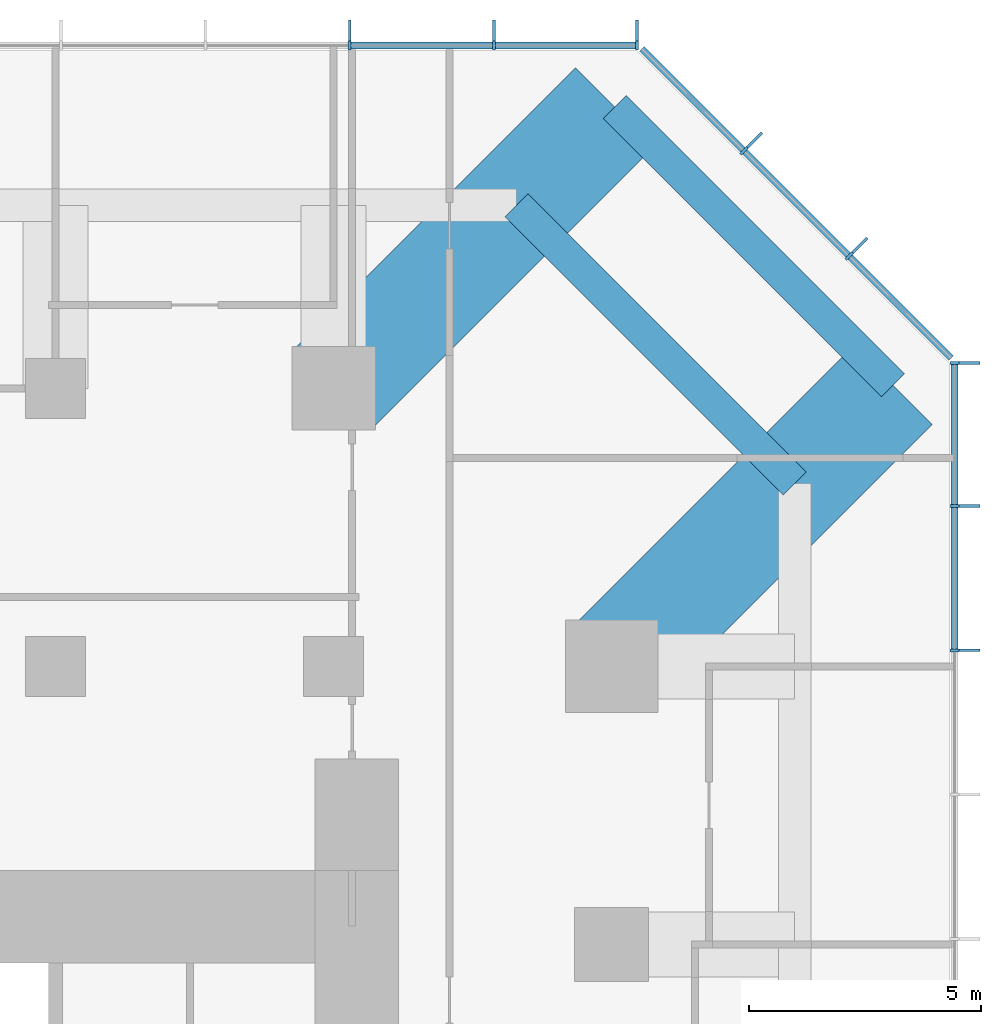
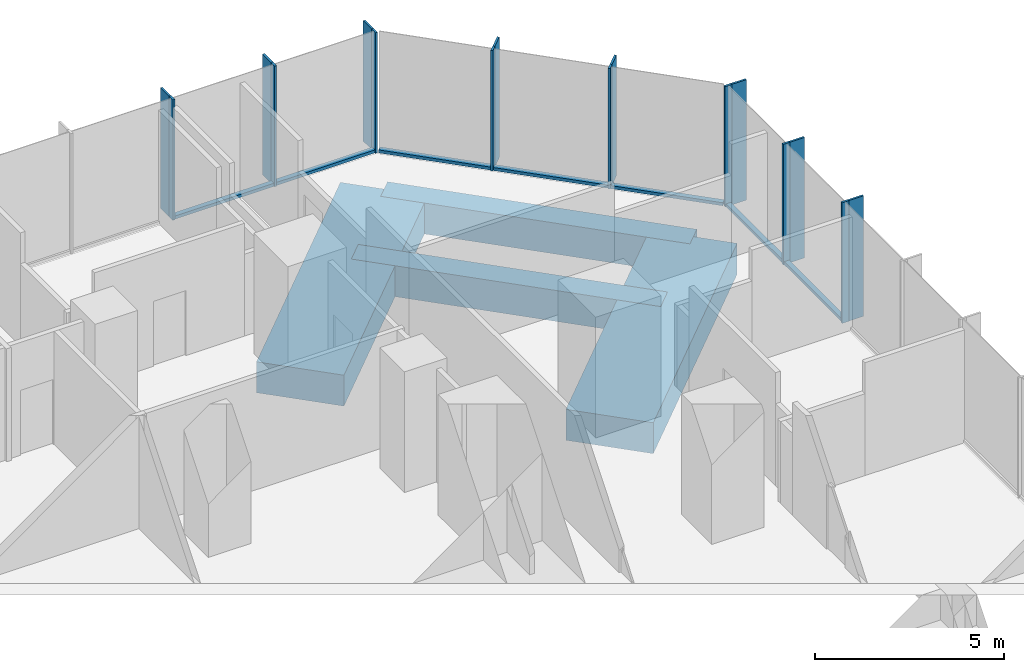
# One storey, part 6 of 11: 23 members, 4 beams, 3 elements without a shape of their own.
"""IFC4 building model written with IfcOpenShell, lengths in metres."""

from ifc_helpers import new_model, si_unit, direction, frame, origin, origin_2d, place, context, subcontext, project, spatial, rectangle, extrude, material, layer, layer_set, material_profile, profile_set, type_object, element, aggregate, save


model = new_model("IFC4")

# Units and contexts
model_context = context("Model", 3, precision=1e-05, world=origin(), true_north=direction((0.0, 1.0)))
body_context = subcontext(model_context, "Body", "Model", "MODEL_VIEW")
ifc_project = project(units=[si_unit("LENGTHUNIT", "METRE"), si_unit("AREAUNIT", "SQUARE_METRE"), si_unit("VOLUMEUNIT", "CUBIC_METRE"), si_unit("PLANEANGLEUNIT", "RADIAN"), si_unit("MASSUNIT", "GRAM", prefix="KILO")], contexts=[model_context])

# Site, building, storey
site_placement = place(None, origin())
site = spatial("IfcSite", under=ifc_project, at=site_placement, CompositionType="ELEMENT")
building_placement = place(site_placement, origin())
building = spatial("IfcBuilding", under=site, at=building_placement, Name="Highveld Stack Headquarters", CompositionType="ELEMENT")
storey_placement = place(building_placement, frame((0.0, 0.0, 181.10009765625)))
storey = spatial("IfcBuildingStorey", under=building, at=storey_placement, Name="L44", CompositionType="ELEMENT", Elevation=181.10009765625)

# Beams
ifc_material_1 = material(Name="Concrete C60/75", Category="concrete")
ifc_material_profile_1 = material_profile(ifc_material_1, rectangle(XDim=2.39990234375, YDim=1.0, at=origin_2d()), Name="RC 2400x1000")
ifc_profile_set_1 = profile_set([ifc_material_profile_1], Name="Concrete C60/75")
beam_type_1 = type_object("IfcBeamType", Name="CANTILEVER RIB RC 2400x1000", PredefinedType="USERDEFINED", material=ifc_profile_set_1)
for number, where, z_axis, x_axis, name in (
    (1, (18.0, 24.0, -0.75), (0.707106781187, 0.707106781187, 0.0), (-0.707106781187, 0.707106781187, 0.0), "Cantilever rib 9/J L44"),
    (2, (24.0, 18.0, -0.75), (0.707106781187, 0.707106781187, 0.0), (-0.707106781187, 0.707106781187, 0.0), "Cantilever rib 10/H L44"),
):
    element("IfcBeam", number, at=place(storey_placement, frame(where, z_axis=z_axis, x_axis=x_axis)), inside=storey, type_object=beam_type_1, Name=name, ObjectType="CANTILEVER RIB", PredefinedType="USERDEFINED", context=body_context, shape_type="SweptSolid", body=[
        extrude(rectangle(XDim=2.39990234375, YDim=1.0, at=origin_2d()), origin(), (0.0, 0.0, 1.0), 8.585693359375),
    ])

# Curtain wall, members
ifc_material_2 = material(Name="Aluminium bronze anodised", Category="aluminium")
ifc_layer_1 = layer(ifc_material_2, 0.199951171875)
ifc_layer_set_1 = layer_set([ifc_layer_1], Name="Aluminium bronze anodised")
curtain_wall_type_1 = type_object("IfcCurtainWallType", Name="CW1 TOWER UNITISED CURTAIN WALL", PredefinedType="NOTDEFINED", material=ifc_layer_set_1)
curtain_wall_1_placement = place(storey_placement, origin())
curtain_wall_1 = element("IfcCurtainWall", 3, at=curtain_wall_1_placement, inside=storey, type_object=curtain_wall_type_1, Name="Curtain wall CW1 L44 E", PredefinedType="NOTDEFINED")
ifc_material_3 = material(Name="Aluminium bronze anodised", Category="aluminium")
ifc_material_profile_2 = material_profile(ifc_material_3, rectangle(XDim=0.449951171875, YDim=0.06005859375, at=origin_2d()), Name="FIN 450x60")
ifc_profile_set_2 = profile_set([ifc_material_profile_2], Name="Aluminium bronze anodised")
member_type_1 = type_object("IfcMemberType", Name="CW1 BRONZE FIN 450x60", PredefinedType="USERDEFINED", material=ifc_profile_set_2)
member_1_placement = place(storey_placement, frame((31.72509765625, 18.347900390625, 0.0), z_axis=(0.0, 0.0, 1.0), x_axis=(-1.0, 0.0, 0.0)))
member_1 = element("IfcMember", 4, at=member_1_placement, type_object=member_type_1, Name="CW1 fin L44 9", ObjectType="FIN", PredefinedType="USERDEFINED", context=body_context, shape_type="SweptSolid", body=[
    extrude(rectangle(XDim=0.449951171875, YDim=0.06005859375, at=origin_2d()), origin(), (0.0, 0.0, 1.0), 3.89990234375),
])
member_2_placement = place(storey_placement, frame((31.72509765625, 21.4638671875, 0.0), z_axis=(0.0, 0.0, 1.0), x_axis=(-1.0, 0.0, 0.0)))
member_2 = element("IfcMember", 5, at=member_2_placement, type_object=member_type_1, Name="CW1 fin L44 10", ObjectType="FIN", PredefinedType="USERDEFINED", context=body_context, shape_type="SweptSolid", body=[
    extrude(rectangle(XDim=0.449951171875, YDim=0.06005859375, at=origin_2d()), origin(), (0.0, 0.0, 1.0), 3.89990234375),
])
member_3_placement = place(storey_placement, frame((31.72509765625, 24.54736328125, 0.0), z_axis=(0.0, 0.0, 1.0), x_axis=(-1.0, 0.0, 0.0)))
member_3 = element("IfcMember", 6, at=member_3_placement, type_object=member_type_1, Name="CW1 fin L44 11", ObjectType="FIN", PredefinedType="USERDEFINED", context=body_context, shape_type="SweptSolid", body=[
    extrude(rectangle(XDim=0.449951171875, YDim=0.06005859375, at=origin_2d()), origin(), (0.0, 0.0, 1.0), 3.89990234375),
])

curtain_wall_2_placement = place(storey_placement, origin())
curtain_wall_2 = element("IfcCurtainWall", 7, at=curtain_wall_2_placement, inside=storey, type_object=curtain_wall_type_1, Name="Curtain wall CW1 L44 N", PredefinedType="NOTDEFINED")
member_4_placement = place(storey_placement, frame((24.54736328125, 31.72509765625, 0.0), z_axis=(0.0, 0.0, 1.0), x_axis=(0.0, -1.0, 0.0)))
member_4 = element("IfcMember", 8, at=member_4_placement, type_object=member_type_1, Name="CW1 fin L44 1", ObjectType="FIN", PredefinedType="USERDEFINED", context=body_context, shape_type="SweptSolid", body=[
    extrude(rectangle(XDim=0.449951171875, YDim=0.06005859375, at=origin_2d()), origin(), (0.0, 0.0, 1.0), 3.89990234375),
])
member_5_placement = place(storey_placement, frame((21.4638671875, 31.72509765625, 0.0), z_axis=(0.0, 0.0, 1.0), x_axis=(0.0, -1.0, 0.0)))
member_5 = element("IfcMember", 9, at=member_5_placement, type_object=member_type_1, Name="CW1 fin L44 2", ObjectType="FIN", PredefinedType="USERDEFINED", context=body_context, shape_type="SweptSolid", body=[
    extrude(rectangle(XDim=0.449951171875, YDim=0.06005859375, at=origin_2d()), origin(), (0.0, 0.0, 1.0), 3.89990234375),
])
member_6_placement = place(storey_placement, frame((18.347900390625, 31.72509765625, 0.0), z_axis=(0.0, 0.0, 1.0), x_axis=(0.0, -1.0, 0.0)))
member_6 = element("IfcMember", 10, at=member_6_placement, type_object=member_type_1, Name="CW1 fin L44 3", ObjectType="FIN", PredefinedType="USERDEFINED", context=body_context, shape_type="SweptSolid", body=[
    extrude(rectangle(XDim=0.449951171875, YDim=0.06005859375, at=origin_2d()), origin(), (0.0, 0.0, 1.0), 3.89990234375),
])

# Member
ifc_material_4 = material(Name="Aluminium bronze anodised", Category="aluminium")
ifc_material_profile_3 = material_profile(ifc_material_4, rectangle(XDim=0.199951171875, YDim=0.06494140625, at=origin_2d()), Name="CW1 MULLION 65x200")
ifc_profile_set_3 = profile_set([ifc_material_profile_3], Name="Aluminium bronze anodised")
member_type_2 = type_object("IfcMemberType", Name="CW1 MULLION 65x200", PredefinedType="MULLION", material=ifc_profile_set_3)
member_7_placement = place(storey_placement, frame((31.39990234375, 18.347900390625, 0.0), z_axis=(0.0, 0.0, 1.0), x_axis=(-1.0, 0.0, 0.0)))
member_7 = element("IfcMember", 11, at=member_7_placement, type_object=member_type_2, Name="CW1 mullion L44 9", PredefinedType="MULLION", context=body_context, shape_type="SweptSolid", body=[
    extrude(rectangle(XDim=0.199951171875, YDim=0.06494140625, at=origin_2d()), origin(), (0.0, 0.0, 1.0), 3.89990234375),
])

member_8_placement = place(storey_placement, frame((31.39990234375, 21.4638671875, 0.0), z_axis=(0.0, 0.0, 1.0), x_axis=(-1.0, 0.0, 0.0)))
member_8 = element("IfcMember", 12, at=member_8_placement, type_object=member_type_2, Name="CW1 mullion L44 10", PredefinedType="MULLION", context=body_context, shape_type="SweptSolid", body=[
    extrude(rectangle(XDim=0.199951171875, YDim=0.06494140625, at=origin_2d()), origin(), (0.0, 0.0, 1.0), 3.89990234375),
])

member_9_placement = place(storey_placement, frame((31.39990234375, 24.54736328125, 0.0), z_axis=(0.0, 0.0, 1.0), x_axis=(-1.0, 0.0, 0.0)))
member_9 = element("IfcMember", 13, at=member_9_placement, type_object=member_type_2, Name="CW1 mullion L44 11", PredefinedType="MULLION", context=body_context, shape_type="SweptSolid", body=[
    extrude(rectangle(XDim=0.199951171875, YDim=0.06494140625, at=origin_2d()), origin(), (0.0, 0.0, 1.0), 3.89990234375),
])

member_10_placement = place(storey_placement, frame((24.54736328125, 31.39990234375, 0.0), z_axis=(0.0, 0.0, 1.0), x_axis=(0.0, -1.0, 0.0)))
member_10 = element("IfcMember", 14, at=member_10_placement, type_object=member_type_2, Name="CW1 mullion L44 1", PredefinedType="MULLION", context=body_context, shape_type="SweptSolid", body=[
    extrude(rectangle(XDim=0.199951171875, YDim=0.06494140625, at=origin_2d()), origin(), (0.0, 0.0, 1.0), 3.89990234375),
])

member_11_placement = place(storey_placement, frame((21.4638671875, 31.39990234375, 0.0), z_axis=(0.0, 0.0, 1.0), x_axis=(0.0, -1.0, 0.0)))
member_11 = element("IfcMember", 15, at=member_11_placement, type_object=member_type_2, Name="CW1 mullion L44 2", PredefinedType="MULLION", context=body_context, shape_type="SweptSolid", body=[
    extrude(rectangle(XDim=0.199951171875, YDim=0.06494140625, at=origin_2d()), origin(), (0.0, 0.0, 1.0), 3.89990234375),
])

member_12_placement = place(storey_placement, frame((18.347900390625, 31.39990234375, 0.0), z_axis=(0.0, 0.0, 1.0), x_axis=(0.0, -1.0, 0.0)))
member_12 = element("IfcMember", 16, at=member_12_placement, type_object=member_type_2, Name="CW1 mullion L44 3", PredefinedType="MULLION", context=body_context, shape_type="SweptSolid", body=[
    extrude(rectangle(XDim=0.199951171875, YDim=0.06494140625, at=origin_2d()), origin(), (0.0, 0.0, 1.0), 3.89990234375),
])

ifc_material_5 = material(Name="Aluminium bronze anodised", Category="aluminium")
ifc_material_profile_4 = material_profile(ifc_material_5, rectangle(XDim=0.14990234375, YDim=0.10009765625, at=origin_2d()), Name="CW1 TRANSOM 150x100")
ifc_profile_set_4 = profile_set([ifc_material_profile_4], Name="Aluminium bronze anodised")
member_type_3 = type_object("IfcMemberType", Name="CW1 STACK TRANSOM 150x100", PredefinedType="USERDEFINED", material=ifc_profile_set_4)
member_13_placement = place(storey_placement, frame((31.39990234375, 18.38037109375, 0.0498046875), z_axis=(0.0, 1.0, 0.0), x_axis=(-1.0, 0.0, 0.0)))
member_13 = element("IfcMember", 17, at=member_13_placement, type_object=member_type_3, Name="CW1 transom L44 9.1", ObjectType="TRANSOM", PredefinedType="USERDEFINED", context=body_context, shape_type="SweptSolid", body=[
    extrude(rectangle(XDim=0.14990234375, YDim=0.10009765625, at=origin_2d()), origin(), (0.0, 0.0, 1.0), 3.051025390625),
])

member_14_placement = place(storey_placement, frame((31.39990234375, 21.496337890625, 0.0498046875), z_axis=(0.0, 1.0, 0.0), x_axis=(-1.0, 0.0, 0.0)))
member_14 = element("IfcMember", 18, at=member_14_placement, type_object=member_type_3, Name="CW1 transom L44 10.1", ObjectType="TRANSOM", PredefinedType="USERDEFINED", context=body_context, shape_type="SweptSolid", body=[
    extrude(rectangle(XDim=0.14990234375, YDim=0.10009765625, at=origin_2d()), origin(), (0.0, 0.0, 1.0), 3.0185546875),
])

aggregate(curtain_wall_1, [member_7, member_1, member_8, member_2, member_9, member_3, member_13, member_14])

member_15_placement = place(storey_placement, frame((24.514892578125, 31.39990234375, 0.0498046875), z_axis=(-1.0, 0.0, 0.0), x_axis=(0.0, -1.0, 0.0)))
member_15 = element("IfcMember", 19, at=member_15_placement, type_object=member_type_3, Name="CW1 transom L44 1.1", ObjectType="TRANSOM", PredefinedType="USERDEFINED", context=body_context, shape_type="SweptSolid", body=[
    extrude(rectangle(XDim=0.14990234375, YDim=0.10009765625, at=origin_2d()), origin(), (0.0, 0.0, 1.0), 3.0185546875),
])

member_16_placement = place(storey_placement, frame((21.431396484375, 31.39990234375, 0.0498046875), z_axis=(-1.0, 0.0, 0.0), x_axis=(0.0, -1.0, 0.0)))
member_16 = element("IfcMember", 20, at=member_16_placement, type_object=member_type_3, Name="CW1 transom L44 2.1", ObjectType="TRANSOM", PredefinedType="USERDEFINED", context=body_context, shape_type="SweptSolid", body=[
    extrude(rectangle(XDim=0.14990234375, YDim=0.10009765625, at=origin_2d()), origin(), (0.0, 0.0, 1.0), 3.051025390625),
])

aggregate(curtain_wall_2, [member_10, member_4, member_11, member_5, member_12, member_6, member_15, member_16])

# Curtain wall, members
ifc_material_6 = material(Name="Aluminium bronze anodised", Category="aluminium")
ifc_layer_2 = layer(ifc_material_6, 0.199951171875)
ifc_layer_set_2 = layer_set([ifc_layer_2], Name="Aluminium bronze anodised")
curtain_wall_type_2 = type_object("IfcCurtainWallType", Name="CW2 TOWER CHAMFER UNITISED CURTAIN WALL", PredefinedType="NOTDEFINED", material=ifc_layer_set_2)
curtain_wall_3_placement = place(storey_placement, origin())
curtain_wall_3 = element("IfcCurtainWall", 21, at=curtain_wall_3_placement, inside=storey, type_object=curtain_wall_type_2, Name="Curtain wall CW2 L44 NE", PredefinedType="NOTDEFINED")
ifc_material_7 = material(Name="Aluminium bronze anodised", Category="aluminium")
ifc_material_profile_5 = material_profile(ifc_material_7, rectangle(XDim=0.449951171875, YDim=0.06005859375, at=origin_2d()), Name="FIN 450x60")
ifc_profile_set_5 = profile_set([ifc_material_profile_5], Name="Aluminium bronze anodised")
member_type_4 = type_object("IfcMemberType", Name="CW2 BRONZE FIN 450x60", PredefinedType="USERDEFINED", material=ifc_profile_set_5)
member_17_placement = place(storey_placement, frame((29.3564453125, 27.0830078125, 0.0), z_axis=(0.0, 0.0, 1.0), x_axis=(-0.707106781187, -0.707106781187, 0.0)))
member_17 = element("IfcMember", 22, at=member_17_placement, type_object=member_type_4, Name="CW2 fin L44 1", ObjectType="FIN", PredefinedType="USERDEFINED", context=body_context, shape_type="SweptSolid", body=[
    extrude(rectangle(XDim=0.449951171875, YDim=0.06005859375, at=origin_2d()), origin(), (0.0, 0.0, 1.0), 3.89990234375),
])
member_18_placement = place(storey_placement, frame((27.0830078125, 29.3564453125, 0.0), z_axis=(0.0, 0.0, 1.0), x_axis=(-0.707106781187, -0.707106781187, 0.0)))
member_18 = element("IfcMember", 23, at=member_18_placement, type_object=member_type_4, Name="CW2 fin L44 2", ObjectType="FIN", PredefinedType="USERDEFINED", context=body_context, shape_type="SweptSolid", body=[
    extrude(rectangle(XDim=0.449951171875, YDim=0.06005859375, at=origin_2d()), origin(), (0.0, 0.0, 1.0), 3.89990234375),
])
ifc_material_8 = material(Name="Aluminium bronze anodised", Category="aluminium")
ifc_material_profile_6 = material_profile(ifc_material_8, rectangle(XDim=0.199951171875, YDim=0.06494140625, at=origin_2d()), Name="CW2 MULLION 65x200")
ifc_profile_set_6 = profile_set([ifc_material_profile_6], Name="Aluminium bronze anodised")
member_type_5 = type_object("IfcMemberType", Name="CW2 MULLION 65x200", PredefinedType="MULLION", material=ifc_profile_set_6)
member_19_placement = place(storey_placement, frame((29.126708984375, 26.853271484375, 0.0), z_axis=(0.0, 0.0, 1.0), x_axis=(-0.707106781187, -0.707106781187, 0.0)))
member_19 = element("IfcMember", 24, at=member_19_placement, type_object=member_type_5, Name="CW2 mullion L44 1", PredefinedType="MULLION", context=body_context, shape_type="SweptSolid", body=[
    extrude(rectangle(XDim=0.199951171875, YDim=0.06494140625, at=origin_2d()), origin(), (0.0, 0.0, 1.0), 3.89990234375),
])
member_20_placement = place(storey_placement, frame((26.853271484375, 29.126708984375, 0.0), z_axis=(0.0, 0.0, 1.0), x_axis=(-0.707106781187, -0.707106781187, 0.0)))
member_20 = element("IfcMember", 25, at=member_20_placement, type_object=member_type_5, Name="CW2 mullion L44 2", PredefinedType="MULLION", context=body_context, shape_type="SweptSolid", body=[
    extrude(rectangle(XDim=0.199951171875, YDim=0.06494140625, at=origin_2d()), origin(), (0.0, 0.0, 1.0), 3.89990234375),
])
ifc_material_9 = material(Name="Aluminium bronze anodised", Category="aluminium")
ifc_material_profile_7 = material_profile(ifc_material_9, rectangle(XDim=0.14990234375, YDim=0.10009765625, at=origin_2d()), Name="CW2 TRANSOM 150x100")
ifc_profile_set_7 = profile_set([ifc_material_profile_7], Name="Aluminium bronze anodised")
member_type_6 = type_object("IfcMemberType", Name="CW2 STACK TRANSOM 150x100", PredefinedType="USERDEFINED", material=ifc_profile_set_7)
member_21_placement = place(storey_placement, frame((31.329345703125, 24.650634765625, 0.0498046875), z_axis=(-0.707106781187, 0.707106781187, 0.0), x_axis=(-0.707106781187, -0.707106781187, 0.0)))
member_21 = element("IfcMember", 26, at=member_21_placement, type_object=member_type_6, Name="CW2 transom L44 1.1", ObjectType="TRANSOM", PredefinedType="USERDEFINED", context=body_context, shape_type="SweptSolid", body=[
    extrude(rectangle(XDim=0.14990234375, YDim=0.10009765625, at=origin_2d()), origin(), (0.0, 0.0, 1.0), 3.08251953125),
])
member_22_placement = place(storey_placement, frame((29.103759765625, 26.876220703125, 0.0498046875), z_axis=(-0.707106781187, 0.707106781187, 0.0), x_axis=(-0.707106781187, -0.707106781187, 0.0)))
member_22 = element("IfcMember", 27, at=member_22_placement, type_object=member_type_6, Name="CW2 transom L44 2.1", ObjectType="TRANSOM", PredefinedType="USERDEFINED", context=body_context, shape_type="SweptSolid", body=[
    extrude(rectangle(XDim=0.14990234375, YDim=0.10009765625, at=origin_2d()), origin(), (0.0, 0.0, 1.0), 3.150146484375),
])
member_23_placement = place(storey_placement, frame((26.830322265625, 29.149658203125, 0.0498046875), z_axis=(-0.707106781187, 0.707106781187, 0.0), x_axis=(-0.707106781187, -0.707106781187, 0.0)))
member_23 = element("IfcMember", 28, at=member_23_placement, type_object=member_type_6, Name="CW2 transom L44 3.1", ObjectType="TRANSOM", PredefinedType="USERDEFINED", context=body_context, shape_type="SweptSolid", body=[
    extrude(rectangle(XDim=0.14990234375, YDim=0.10009765625, at=origin_2d()), origin(), (0.0, 0.0, 1.0), 3.08251953125),
])
aggregate(curtain_wall_3, [member_19, member_17, member_20, member_18, member_21, member_22, member_23])

# Beams
ifc_material_10 = material(Name="Concrete C60/75", Category="concrete")
ifc_material_profile_8 = material_profile(ifc_material_10, rectangle(XDim=0.699951171875, YDim=1.0, at=origin_2d()), Name="RC 700x1000")
ifc_profile_set_8 = profile_set([ifc_material_profile_8], Name="Concrete C60/75")
beam_type_2 = type_object("IfcBeamType", Name="RIB TIP BEAM RC 700x1000", PredefinedType="SPANDREL", material=ifc_profile_set_8)
for number, where, z_axis, x_axis, name in (
    (29, (21.949951171875, 27.949951171875, -0.75), (0.707106781187, -0.707106781187, 0.0), (0.707106781187, 0.707106781187, 0.0), "Rib tip beam 9/J to 10/H chamfer L44"),
    (30, (24.071044921875, 30.071044921875, -0.75), (0.707106781187, -0.707106781187, 0.0), (0.707106781187, 0.707106781187, 0.0), "Rib tip beam 9/J to 10/H chamfer edge L44"),
):
    element("IfcBeam", number, at=place(storey_placement, frame(where, z_axis=z_axis, x_axis=x_axis)), inside=storey, type_object=beam_type_2, Name=name, PredefinedType="SPANDREL", context=body_context, shape_type="SweptSolid", body=[
        extrude(rectangle(XDim=0.699951171875, YDim=1.0, at=origin_2d()), origin(), (0.0, 0.0, 1.0), 8.4853515625),
    ])

save(model, "model.ifc")
